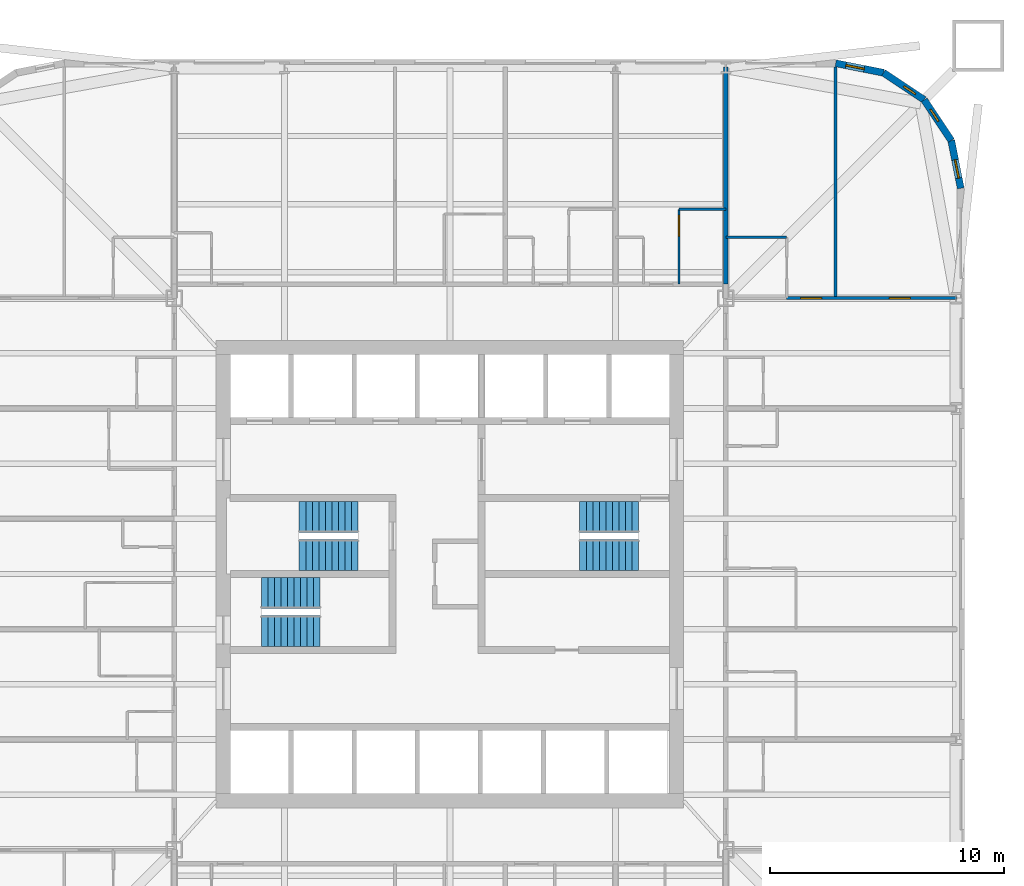
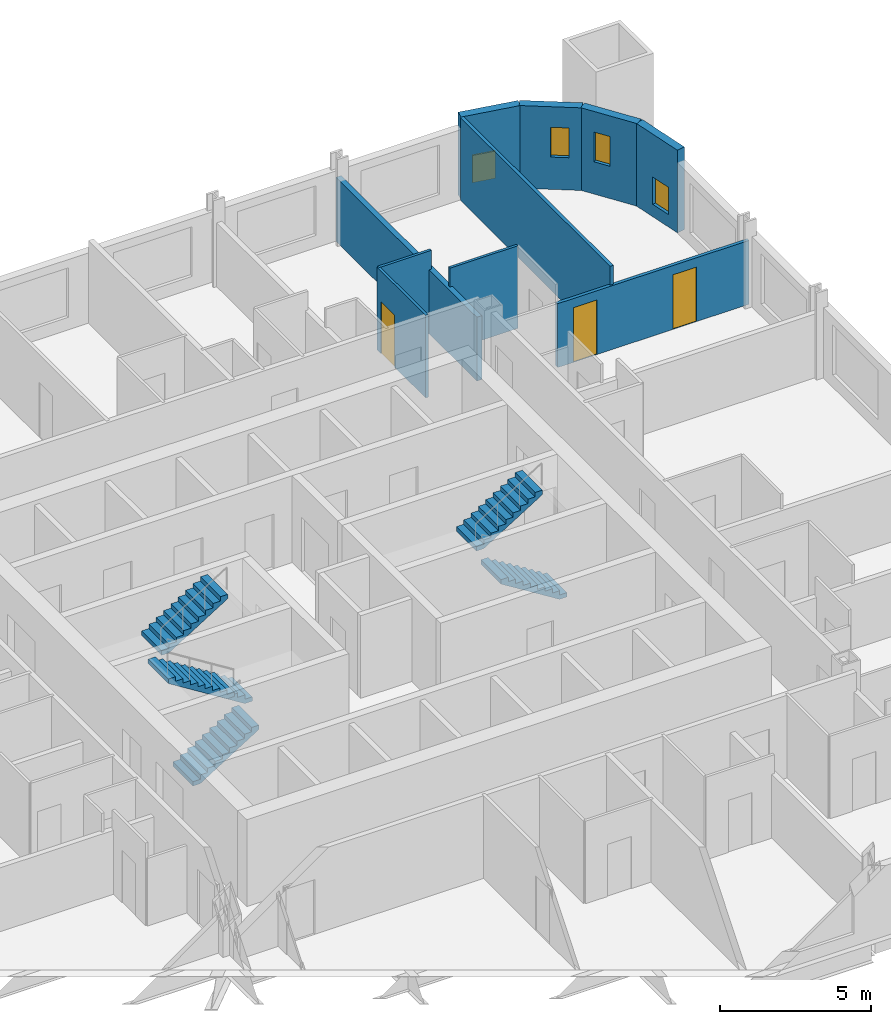
# One storey, part 8 of 9: 10 walls, 6 stair flights, 4 windows, 3 doors, 7 openings, 3 elements without a shape of their own.
"""IFC4 building model written with IfcOpenShell, lengths in metres."""

from ifc_helpers import new_model, si_unit, direction, frame, frame_2d, origin, place, context, subcontext, project, spatial, polyline, rectangle, outline, extrude, material, layer, layer_set, type_object, element, fill, aggregate, save


model = new_model("IFC4")

# Units and contexts
model_context = context("Model", 3, precision=1e-05, world=origin(), true_north=direction((0.0, 1.0)))
body_context = subcontext(model_context, "Body", "Model", "MODEL_VIEW")
ifc_project = project(units=[si_unit("LENGTHUNIT", "METRE"), si_unit("AREAUNIT", "SQUARE_METRE"), si_unit("VOLUMEUNIT", "CUBIC_METRE"), si_unit("PLANEANGLEUNIT", "RADIAN"), si_unit("MASSUNIT", "GRAM", prefix="KILO")], contexts=[model_context])

# Site, building, storey
site_placement = place(None, origin())
site = spatial("IfcSite", under=ifc_project, at=site_placement, CompositionType="ELEMENT")
building_placement = place(site_placement, origin())
building = spatial("IfcBuilding", under=site, at=building_placement, Name="Turquesa Mirador Hotel Tower", CompositionType="ELEMENT")
storey_placement = place(building_placement, frame((0.0, 0.0, 28.5)))
storey = spatial("IfcBuildingStorey", under=building, at=storey_placement, Name="L06", CompositionType="ELEMENT", Elevation=28.5)

# Walls
ifc_material_1 = material(Name="Gypsum board on steel studs", Category="steel")
ifc_layer_1 = layer(ifc_material_1, 0.10009765625)
ifc_layer_set_1 = layer_set([ifc_layer_1], Name="BATHROOM WALL 100")
wall_type_1 = type_object("IfcWallType", Name="BATHROOM WALL 100", PredefinedType="PARTITIONING", material=ifc_layer_set_1)
wall_1_placement = place(storey_placement, frame((66.800048828125, 59.39990234375, 0.0), z_axis=(0.0, 0.0, 1.0), x_axis=(1.0, 0.0, 0.0)))
element("IfcWall", 1, at=wall_1_placement, inside=storey, type_object=wall_type_1, Name="Partition L06 032", PredefinedType="PARTITIONING", context=body_context, shape_type="SweptSolid", body=[
    extrude(rectangle(XDim=2.599853515625, YDim=0.10009765625, at=frame_2d((1.2998046875, 0.0))), origin(), (0.0, 0.0, 1.0), 3.330078125),
])
wall_2_placement = place(storey_placement, frame((64.800048828125, 60.60009765625, 0.0), z_axis=(0.0, 0.0, 1.0), x_axis=(1.0, 0.0, 0.0)))
element("IfcWall", 2, at=wall_2_placement, inside=storey, type_object=wall_type_1, Name="Partition L06 036", PredefinedType="PARTITIONING", context=body_context, shape_type="SweptSolid", body=[
    extrude(rectangle(XDim=2.0, YDim=0.10009765625, at=frame_2d((1.0, 0.0))), origin(), (0.0, 0.0, 1.0), 3.330078125),
])

# Wall, opening, door
wall_3_placement = place(storey_placement, frame((64.800048828125, 57.39990234375, 0.0), z_axis=(0.0, 0.0, 1.0), x_axis=(0.0, 1.0, 0.0)))
wall_3 = element("IfcWall", 3, at=wall_3_placement, inside=storey, type_object=wall_type_1, Name="Partition L06 087", PredefinedType="PARTITIONING", context=body_context, shape_type="SweptSolid", body=[
    extrude(rectangle(XDim=3.2001953125, YDim=0.10009765625, at=frame_2d((1.60009765625, 0.0))), origin(), (0.0, 0.0, 1.0), 3.330078125),
])
opening_1_placement = place(wall_3_placement, frame((2.050048828125, 0.0, 0.0)))
opening_1 = element("IfcOpeningElement", 4, at=opening_1_placement, cuts=wall_3, Name="Opening D02", PredefinedType="OPENING", context=body_context, shape_type="SweptSolid", body=[
    extrude(rectangle(XDim=0.89990234375, YDim=2.10009765625, at=frame_2d((0.449951171875, 1.050048828125))), frame((0.0, 0.06005859375, 0.0), z_axis=(0.0, -1.0, 0.0), x_axis=(1.0, 0.0, 0.0)), (0.0, 0.0, 1.0), 0.1201171875),
])
ifc_material_2 = material(Name="Timber veneered door", Category="wood")
door_type_1 = type_object("IfcDoorType", Name="DOOR 900X2100 EN-SUITE", OperationType="SINGLE_SWING_RIGHT", PredefinedType="DOOR", material=ifc_material_2)
door_1_placement = place(opening_1_placement, origin())
door_1 = element("IfcDoor", 5, at=door_1_placement, inside=storey, type_object=door_type_1, Name="Door 0603B", OperationType="SINGLE_SWING_RIGHT", OverallHeight=2.10009765625, OverallWidth=0.89990234375, PredefinedType="DOOR", context=body_context, shape_type="SweptSolid", body=[
    extrude(rectangle(XDim=0.89990234375, YDim=2.10009765625, at=frame_2d((0.449951171875, 1.050048828125))), frame((0.0, 0.02490234375, 0.0), z_axis=(0.0, -1.0, 0.0), x_axis=(1.0, 0.0, 0.0)), (0.0, 0.0, 1.0), 0.050048828125),
])
fill(opening_1, door_1)

# Wall, opening, window
ifc_material_3 = material(Name="Limestone cladding on concrete block", Category="masonry")
ifc_layer_2 = layer(ifc_material_3, 0.300048828125)
ifc_layer_set_2 = layer_set([ifc_layer_2], Name="FACADE WALL 300 STONE SCREEN")
wall_type_2 = type_object("IfcWallType", Name="FACADE WALL 300 STONE SCREEN", PredefinedType="SOLIDWALL", material=ifc_layer_set_2)
wall_4_placement = place(storey_placement, frame((76.85009765625, 61.5, 0.0), z_axis=(0.0, 0.0, 1.0), x_axis=(-0.195081421501, 0.980787050784, 0.0)))
wall_4 = element("IfcWall", 6, at=wall_4_placement, inside=storey, type_object=wall_type_2, Name="Facade wall L06 05", PredefinedType="SOLIDWALL", context=body_context, shape_type="SweptSolid", body=[
    extrude(rectangle(XDim=2.08740234375, YDim=0.300048828125, at=frame_2d((1.043701171875, 0.0))), origin(), (0.0, 0.0, 1.0), 3.330078125),
])
opening_2_placement = place(wall_4_placement, frame((0.443603515625, 0.0, 0.5)))
opening_2 = element("IfcOpeningElement", 7, at=opening_2_placement, cuts=wall_4, Name="Opening WN19", PredefinedType="OPENING", context=body_context, shape_type="SweptSolid", body=[
    extrude(rectangle(XDim=0.800048828125, YDim=1.10009765625, at=frame_2d((0.39990234375, 0.550048828125))), frame((0.0, 0.159912109375, 0.0), z_axis=(0.0, -1.0, 0.0), x_axis=(1.0, 0.0, 0.0)), (0.0, 0.0, 1.0), 0.320068359375),
])
ifc_material_4 = material(Name="Ceramic-fritted laminated glass", Category="glass")
window_type_1 = type_object("IfcWindowType", Name="FRITTED CORNER WINDOW 800X1100", PartitioningType="DOUBLE_PANEL_HORIZONTAL", PredefinedType="WINDOW", material=ifc_material_4)
window_1_placement = place(opening_2_placement, origin())
window_1 = element("IfcWindow", 8, at=window_1_placement, inside=storey, type_object=window_type_1, Name="Window L06", OverallHeight=1.10009765625, OverallWidth=0.800048828125, PartitioningType="SINGLE_PANEL", PredefinedType="WINDOW", context=body_context, shape_type="SweptSolid", body=[
    extrude(rectangle(XDim=0.800048828125, YDim=1.10009765625, at=frame_2d((0.39990234375, 0.550048828125))), frame((0.0, 0.030029296875, 0.0), z_axis=(0.0, -1.0, 0.0), x_axis=(1.0, 0.0, 0.0)), (0.0, 0.0, 1.0), 0.06005859375),
])
fill(opening_2, window_1)

wall_5_placement = place(storey_placement, frame((76.44287109375, 63.54736328125, 0.0), z_axis=(0.0, 0.0, 1.0), x_axis=(-0.555644460423, 0.831420010345, 0.0)))
wall_5 = element("IfcWall", 9, at=wall_5_placement, inside=storey, type_object=wall_type_2, Name="Facade wall L06 06", PredefinedType="SOLIDWALL", context=body_context, shape_type="SweptSolid", body=[
    extrude(rectangle(XDim=2.08740234375, YDim=0.300048828125, at=frame_2d((1.043701171875, 0.0))), origin(), (0.0, 0.0, 1.0), 3.330078125),
])
opening_3_placement = place(wall_5_placement, frame((0.99365234375, 0.0, 1.300048828125)))
opening_3 = element("IfcOpeningElement", 10, at=opening_3_placement, cuts=wall_5, Name="Opening WN13", PredefinedType="OPENING", context=body_context, shape_type="SweptSolid", body=[
    extrude(rectangle(XDim=0.60009765625, YDim=1.199951171875, at=frame_2d((0.300048828125, 0.60009765625))), frame((0.0, 0.159912109375, 0.0), z_axis=(0.0, -1.0, 0.0), x_axis=(1.0, 0.0, 0.0)), (0.0, 0.0, 1.0), 0.320068359375),
])
ifc_material_5 = material(Name="Ceramic-fritted laminated glass", Category="glass")
window_type_2 = type_object("IfcWindowType", Name="FRITTED CORNER WINDOW 600X1200", PartitioningType="DOUBLE_PANEL_HORIZONTAL", PredefinedType="WINDOW", material=ifc_material_5)
window_2_placement = place(opening_3_placement, origin())
window_2 = element("IfcWindow", 11, at=window_2_placement, inside=storey, type_object=window_type_2, Name="Window L06", OverallHeight=1.199951171875, OverallWidth=0.60009765625, PartitioningType="SINGLE_PANEL", PredefinedType="WINDOW", context=body_context, shape_type="SweptSolid", body=[
    extrude(rectangle(XDim=0.60009765625, YDim=1.199951171875, at=frame_2d((0.300048828125, 0.60009765625))), frame((0.0, 0.030029296875, 0.0), z_axis=(0.0, -1.0, 0.0), x_axis=(1.0, 0.0, 0.0)), (0.0, 0.0, 1.0), 0.06005859375),
])
fill(opening_3, window_2)

wall_6_placement = place(storey_placement, frame((75.282958984375, 65.282958984375, 0.0), z_axis=(0.0, 0.0, 1.0), x_axis=(-0.831420010345, 0.555644460423, 0.0)))
wall_6 = element("IfcWall", 12, at=wall_6_placement, inside=storey, type_object=wall_type_2, Name="Facade wall L06 07", PredefinedType="SOLIDWALL", context=body_context, shape_type="SweptSolid", body=[
    extrude(rectangle(XDim=2.08740234375, YDim=0.300048828125, at=frame_2d((1.043701171875, 0.0))), origin(), (0.0, 0.0, 1.0), 3.330078125),
])
opening_4_placement = place(wall_6_placement, frame((0.443603515625, 0.0, 1.300048828125)))
opening_4 = element("IfcOpeningElement", 13, at=opening_4_placement, cuts=wall_6, Name="Opening WN13", PredefinedType="OPENING", context=body_context, shape_type="SweptSolid", body=[
    extrude(rectangle(XDim=0.60009765625, YDim=1.199951171875, at=frame_2d((0.300048828125, 0.60009765625))), frame((0.0, 0.159912109375, 0.0), z_axis=(0.0, -1.0, 0.0), x_axis=(1.0, 0.0, 0.0)), (0.0, 0.0, 1.0), 0.320068359375),
])
window_3_placement = place(opening_4_placement, origin())
window_3 = element("IfcWindow", 14, at=window_3_placement, inside=storey, type_object=window_type_2, Name="Window L06", OverallHeight=1.199951171875, OverallWidth=0.60009765625, PartitioningType="SINGLE_PANEL", PredefinedType="WINDOW", context=body_context, shape_type="SweptSolid", body=[
    extrude(rectangle(XDim=0.60009765625, YDim=1.199951171875, at=frame_2d((0.300048828125, 0.60009765625))), frame((0.0, 0.030029296875, 0.0), z_axis=(0.0, -1.0, 0.0), x_axis=(1.0, 0.0, 0.0)), (0.0, 0.0, 1.0), 0.06005859375),
])
fill(opening_4, window_3)

wall_7_placement = place(storey_placement, frame((73.54736328125, 66.44287109375, 0.0), z_axis=(0.0, 0.0, 1.0), x_axis=(-0.980787050784, 0.195081421501, 0.0)))
wall_7 = element("IfcWall", 15, at=wall_7_placement, inside=storey, type_object=wall_type_2, Name="Facade wall L06 08", PredefinedType="SOLIDWALL", context=body_context, shape_type="SweptSolid", body=[
    extrude(rectangle(XDim=2.08740234375, YDim=0.300048828125, at=frame_2d((1.043701171875, 0.0))), origin(), (0.0, 0.0, 1.0), 3.330078125),
])
opening_5_placement = place(wall_7_placement, frame((0.84375, 0.0, 0.5)))
opening_5 = element("IfcOpeningElement", 16, at=opening_5_placement, cuts=wall_7, Name="Opening WN19", PredefinedType="OPENING", context=body_context, shape_type="SweptSolid", body=[
    extrude(rectangle(XDim=0.800048828125, YDim=1.10009765625, at=frame_2d((0.39990234375, 0.550048828125))), frame((0.0, 0.159912109375, 0.0), z_axis=(0.0, -1.0, 0.0), x_axis=(1.0, 0.0, 0.0)), (0.0, 0.0, 1.0), 0.320068359375),
])
window_4_placement = place(opening_5_placement, origin())
window_4 = element("IfcWindow", 17, at=window_4_placement, inside=storey, type_object=window_type_1, Name="Window L06", OverallHeight=1.10009765625, OverallWidth=0.800048828125, PartitioningType="SINGLE_PANEL", PredefinedType="WINDOW", context=body_context, shape_type="SweptSolid", body=[
    extrude(rectangle(XDim=0.800048828125, YDim=1.10009765625, at=frame_2d((0.39990234375, 0.550048828125))), frame((0.0, 0.030029296875, 0.0), z_axis=(0.0, -1.0, 0.0), x_axis=(1.0, 0.0, 0.0)), (0.0, 0.0, 1.0), 0.06005859375),
])
fill(opening_5, window_4)

# Wall
ifc_material_6 = material(Name="Fire-rated gypsum board on steel studs", Category="steel")
ifc_layer_3 = layer(ifc_material_6, 0.199951171875)
ifc_layer_set_3 = layer_set([ifc_layer_3], Name="PARTY WALL 200")
wall_type_3 = type_object("IfcWallType", Name="PARTY WALL 200", PredefinedType="PARTITIONING", material=ifc_layer_set_3)
wall_8_placement = place(storey_placement, frame((66.800048828125, 57.39990234375, 0.0), z_axis=(0.0, 0.0, 1.0), x_axis=(0.0, 1.0, 0.0)))
element("IfcWall", 18, at=wall_8_placement, inside=storey, type_object=wall_type_3, Name="Partition L06 068", PredefinedType="PARTITIONING", context=body_context, shape_type="SweptSolid", body=[
    extrude(rectangle(XDim=9.300048828125, YDim=0.199951171875, at=frame_2d((4.64990234375, 0.0))), origin(), (0.0, 0.0, 1.0), 2.572998046875),
])

# Wall, openings, doors
ifc_material_7 = material(Name="Acoustic gypsum board on steel studs", Category="steel")
ifc_layer_4 = layer(ifc_material_7, 0.125)
ifc_layer_set_4 = layer_set([ifc_layer_4], Name="SUITE PARTITION 125")
wall_type_4 = type_object("IfcWallType", Name="SUITE PARTITION 125", PredefinedType="PARTITIONING", material=ifc_layer_set_4)
wall_9_placement = place(storey_placement, frame((69.39990234375, 56.800048828125, 0.0), z_axis=(0.0, 0.0, 1.0), x_axis=(1.0, 0.0, 0.0)))
wall_9 = element("IfcWall", 19, at=wall_9_placement, inside=storey, type_object=wall_type_4, Name="Partition L06 027", PredefinedType="PARTITIONING", context=body_context, shape_type="SweptSolid", body=[
    extrude(rectangle(XDim=7.300048828125, YDim=0.125, at=frame_2d((3.64990234375, 0.0))), origin(), (0.0, 0.0, 1.0), 2.572998046875),
])
opening_6_placement = place(wall_9_placement, frame((0.60009765625, 0.0, 0.0)))
opening_6 = element("IfcOpeningElement", 20, at=opening_6_placement, cuts=wall_9, Name="Opening D17", PredefinedType="OPENING", context=body_context, shape_type="SweptSolid", body=[
    extrude(rectangle(XDim=0.89990234375, YDim=2.199951171875, at=frame_2d((0.449951171875, 1.10009765625))), frame((0.0, 0.072509765625, 0.0), z_axis=(0.0, -1.0, 0.0), x_axis=(1.0, 0.0, 0.0)), (0.0, 0.0, 1.0), 0.14501953125),
])
opening_7_placement = place(wall_9_placement, frame((4.39990234375, 0.0, 0.0)))
opening_7 = element("IfcOpeningElement", 21, at=opening_7_placement, cuts=wall_9, Name="Opening D17", PredefinedType="OPENING", context=body_context, shape_type="SweptSolid", body=[
    extrude(rectangle(XDim=0.89990234375, YDim=2.199951171875, at=frame_2d((0.449951171875, 1.10009765625))), frame((0.0, 0.072509765625, 0.0), z_axis=(0.0, -1.0, 0.0), x_axis=(1.0, 0.0, 0.0)), (0.0, 0.0, 1.0), 0.14501953125),
])
ifc_material_8 = material(Name="Timber veneered door", Category="wood")
door_type_2 = type_object("IfcDoorType", Name="DOOR 900X2200 SUITE INTERNAL", OperationType="SINGLE_SWING_LEFT", PredefinedType="DOOR", material=ifc_material_8)
door_2_placement = place(opening_6_placement, origin())
door_2 = element("IfcDoor", 22, at=door_2_placement, inside=storey, type_object=door_type_2, Name="Door 0612R", OperationType="SINGLE_SWING_LEFT", OverallHeight=2.199951171875, OverallWidth=0.89990234375, PredefinedType="DOOR", context=body_context, shape_type="SweptSolid", body=[
    extrude(rectangle(XDim=0.89990234375, YDim=2.199951171875, at=frame_2d((0.449951171875, 1.10009765625))), frame((0.0, 0.02490234375, 0.0), z_axis=(0.0, -1.0, 0.0), x_axis=(1.0, 0.0, 0.0)), (0.0, 0.0, 1.0), 0.050048828125),
])
fill(opening_6, door_2)
door_3_placement = place(opening_7_placement, origin())
door_3 = element("IfcDoor", 23, at=door_3_placement, inside=storey, type_object=door_type_2, Name="Door 0612S", OperationType="SINGLE_SWING_LEFT", OverallHeight=2.199951171875, OverallWidth=0.89990234375, PredefinedType="DOOR", context=body_context, shape_type="SweptSolid", body=[
    extrude(rectangle(XDim=0.89990234375, YDim=2.199951171875, at=frame_2d((0.449951171875, 1.10009765625))), frame((0.0, 0.02490234375, 0.0), z_axis=(0.0, -1.0, 0.0), x_axis=(1.0, 0.0, 0.0)), (0.0, 0.0, 1.0), 0.050048828125),
])
fill(opening_7, door_3)

# Wall
wall_10_placement = place(storey_placement, frame((71.5, 56.800048828125, 0.0), z_axis=(0.0, 0.0, 1.0), x_axis=(0.0, 1.0, 0.0)))
element("IfcWall", 24, at=wall_10_placement, inside=storey, type_object=wall_type_4, Name="Partition L06 077", PredefinedType="PARTITIONING", context=body_context, shape_type="SweptSolid", body=[
    extrude(rectangle(XDim=9.89404296875, YDim=0.125, at=frame_2d((4.947021484375, 0.0))), origin(), (0.0, 0.0, 1.0), 3.330078125),
])

# Stair, stair flights
ifc_material_9 = material(Name="Concrete C35/45", Category="concrete")
stair_type = type_object("IfcStairType", Name="ESCAPE STAIR CORE", PredefinedType="HALF_TURN_STAIR", material=ifc_material_9)
stair_1_placement = place(storey_placement, origin())
stair_1 = element("IfcStair", 25, at=stair_1_placement, inside=storey, type_object=stair_type, Name="Stair ST1 L06 to L07", PredefinedType="HALF_TURN_STAIR")
ifc_material_10 = material(Name="Concrete C35/45 precast flight", Category="concrete")
stair_flight_type = type_object("IfcStairFlightType", Name="STAIR FLIGHT 1330", PredefinedType="STRAIGHT", material=ifc_material_10)
stair_flight_1_placement = place(storey_placement, frame((51.070068359375, 45.81494140625, 0.0), z_axis=(0.0, 0.0, 1.0), x_axis=(-1.0, 0.0, 0.0)))
stair_flight_1 = element("IfcStairFlight", 26, at=stair_flight_1_placement, type_object=stair_flight_type, Name="ST1 flight 1", NumberOfRisers=10, NumberOfTreads=9, PredefinedType="STRAIGHT", RiserHeight=0.175, TreadLength=0.28, context=body_context, shape_type="SweptSolid", body=[
    extrude(outline(polyline([(0.0, 0.0), (0.0, 0.175048828125), (0.280029296875, 0.175048828125), (0.280029296875, 0.35009765625), (0.56005859375, 0.35009765625), (0.56005859375, 0.52490234375), (0.840087890625, 0.52490234375), (0.840087890625, 0.699951171875), (1.1201171875, 0.699951171875), (1.1201171875, 0.875), (1.39990234375, 0.875), (1.39990234375, 1.050048828125), (1.679931640625, 1.050048828125), (1.679931640625, 1.22509765625), (1.9599609375, 1.22509765625), (1.9599609375, 1.39990234375), (2.239990234375, 1.39990234375), (2.239990234375, 1.574951171875), (2.52001953125, 1.574951171875), (2.52001953125, 1.75), (2.52001953125, 1.398193359375), (0.28271484375, 0.0), (0.0, 0.0)])), frame((0.0, 0.6650390625, 0.0), z_axis=(0.0, -1.0, 0.0), x_axis=(1.0, 0.0, 0.0)), (0.0, 0.0, 1.0), 1.330078125),
])
stair_flight_2_placement = place(storey_placement, frame((48.550048828125, 47.43505859375, 1.75), z_axis=(0.0, 0.0, 1.0), x_axis=(1.0, 0.0, 0.0)))
stair_flight_2 = element("IfcStairFlight", 27, at=stair_flight_2_placement, type_object=stair_flight_type, Name="ST1 flight 2", NumberOfRisers=10, NumberOfTreads=9, PredefinedType="STRAIGHT", RiserHeight=0.175, TreadLength=0.28, context=body_context, shape_type="SweptSolid", body=[
    extrude(outline(polyline([(0.0, 0.0), (0.0, 0.175048828125), (0.280029296875, 0.175048828125), (0.280029296875, 0.35009765625), (0.56005859375, 0.35009765625), (0.56005859375, 0.52490234375), (0.840087890625, 0.52490234375), (0.840087890625, 0.699951171875), (1.1201171875, 0.699951171875), (1.1201171875, 0.875), (1.39990234375, 0.875), (1.39990234375, 1.050048828125), (1.679931640625, 1.050048828125), (1.679931640625, 1.22509765625), (1.9599609375, 1.22509765625), (1.9599609375, 1.39990234375), (2.239990234375, 1.39990234375), (2.239990234375, 1.574951171875), (2.52001953125, 1.574951171875), (2.52001953125, 1.75), (2.52001953125, 1.398193359375), (0.28271484375, 0.0), (0.0, 0.0)])), frame((0.0, 0.6650390625, 0.0), z_axis=(0.0, -1.0, 0.0), x_axis=(1.0, 0.0, 0.0)), (0.0, 0.0, 1.0), 1.330078125),
])
aggregate(stair_1, [stair_flight_1, stair_flight_2])

stair_2_placement = place(storey_placement, origin())
stair_2 = element("IfcStair", 28, at=stair_2_placement, inside=storey, type_object=stair_type, Name="Stair ST2 L06 to L07", PredefinedType="HALF_TURN_STAIR")
stair_flight_3_placement = place(storey_placement, frame((46.929931640625, 42.56494140625, 0.0), z_axis=(0.0, 0.0, 1.0), x_axis=(1.0, 0.0, 0.0)))
stair_flight_3 = element("IfcStairFlight", 29, at=stair_flight_3_placement, type_object=stair_flight_type, Name="ST2 flight 1", NumberOfRisers=10, NumberOfTreads=9, PredefinedType="STRAIGHT", RiserHeight=0.175, TreadLength=0.28, context=body_context, shape_type="SweptSolid", body=[
    extrude(outline(polyline([(0.0, 0.0), (0.0, 0.175048828125), (0.280029296875, 0.175048828125), (0.280029296875, 0.35009765625), (0.56005859375, 0.35009765625), (0.56005859375, 0.52490234375), (0.840087890625, 0.52490234375), (0.840087890625, 0.699951171875), (1.1201171875, 0.699951171875), (1.1201171875, 0.875), (1.39990234375, 0.875), (1.39990234375, 1.050048828125), (1.679931640625, 1.050048828125), (1.679931640625, 1.22509765625), (1.9599609375, 1.22509765625), (1.9599609375, 1.39990234375), (2.239990234375, 1.39990234375), (2.239990234375, 1.574951171875), (2.52001953125, 1.574951171875), (2.52001953125, 1.75), (2.52001953125, 1.398193359375), (0.28271484375, 0.0), (0.0, 0.0)])), frame((0.0, 0.6650390625, 0.0), z_axis=(0.0, -1.0, 0.0), x_axis=(1.0, 0.0, 0.0)), (0.0, 0.0, 1.0), 1.330078125),
])
stair_flight_4_placement = place(storey_placement, frame((49.449951171875, 44.18505859375, 1.75), z_axis=(0.0, 0.0, 1.0), x_axis=(-1.0, 0.0, 0.0)))
stair_flight_4 = element("IfcStairFlight", 30, at=stair_flight_4_placement, type_object=stair_flight_type, Name="ST2 flight 2", NumberOfRisers=10, NumberOfTreads=9, PredefinedType="STRAIGHT", RiserHeight=0.175, TreadLength=0.28, context=body_context, shape_type="SweptSolid", body=[
    extrude(outline(polyline([(0.0, 0.0), (0.0, 0.175048828125), (0.280029296875, 0.175048828125), (0.280029296875, 0.35009765625), (0.56005859375, 0.35009765625), (0.56005859375, 0.52490234375), (0.840087890625, 0.52490234375), (0.840087890625, 0.699951171875), (1.1201171875, 0.699951171875), (1.1201171875, 0.875), (1.39990234375, 0.875), (1.39990234375, 1.050048828125), (1.679931640625, 1.050048828125), (1.679931640625, 1.22509765625), (1.9599609375, 1.22509765625), (1.9599609375, 1.39990234375), (2.239990234375, 1.39990234375), (2.239990234375, 1.574951171875), (2.52001953125, 1.574951171875), (2.52001953125, 1.75), (2.52001953125, 1.398193359375), (0.28271484375, 0.0), (0.0, 0.0)])), frame((0.0, 0.6650390625, 0.0), z_axis=(0.0, -1.0, 0.0), x_axis=(1.0, 0.0, 0.0)), (0.0, 0.0, 1.0), 1.330078125),
])
aggregate(stair_2, [stair_flight_3, stair_flight_4])

stair_3_placement = place(storey_placement, origin())
stair_3 = element("IfcStair", 31, at=stair_3_placement, inside=storey, type_object=stair_type, Name="Stair ST3 L06 to L07", PredefinedType="HALF_TURN_STAIR")
stair_flight_5_placement = place(storey_placement, frame((63.070068359375, 45.81494140625, 0.0), z_axis=(0.0, 0.0, 1.0), x_axis=(-1.0, 0.0, 0.0)))
stair_flight_5 = element("IfcStairFlight", 32, at=stair_flight_5_placement, type_object=stair_flight_type, Name="ST3 flight 1", NumberOfRisers=10, NumberOfTreads=9, PredefinedType="STRAIGHT", RiserHeight=0.175, TreadLength=0.28, context=body_context, shape_type="SweptSolid", body=[
    extrude(outline(polyline([(0.0, 0.0), (0.0, 0.175048828125), (0.280029296875, 0.175048828125), (0.280029296875, 0.35009765625), (0.56005859375, 0.35009765625), (0.56005859375, 0.52490234375), (0.840087890625, 0.52490234375), (0.840087890625, 0.699951171875), (1.1201171875, 0.699951171875), (1.1201171875, 0.875), (1.39990234375, 0.875), (1.39990234375, 1.050048828125), (1.679931640625, 1.050048828125), (1.679931640625, 1.22509765625), (1.9599609375, 1.22509765625), (1.9599609375, 1.39990234375), (2.239990234375, 1.39990234375), (2.239990234375, 1.574951171875), (2.52001953125, 1.574951171875), (2.52001953125, 1.75), (2.52001953125, 1.398193359375), (0.28271484375, 0.0), (0.0, 0.0)])), frame((0.0, 0.6650390625, 0.0), z_axis=(0.0, -1.0, 0.0), x_axis=(1.0, 0.0, 0.0)), (0.0, 0.0, 1.0), 1.330078125),
])
stair_flight_6_placement = place(storey_placement, frame((60.550048828125, 47.43505859375, 1.75), z_axis=(0.0, 0.0, 1.0), x_axis=(1.0, 0.0, 0.0)))
stair_flight_6 = element("IfcStairFlight", 33, at=stair_flight_6_placement, type_object=stair_flight_type, Name="ST3 flight 2", NumberOfRisers=10, NumberOfTreads=9, PredefinedType="STRAIGHT", RiserHeight=0.175, TreadLength=0.28, context=body_context, shape_type="SweptSolid", body=[
    extrude(outline(polyline([(0.0, 0.0), (0.0, 0.175048828125), (0.280029296875, 0.175048828125), (0.280029296875, 0.35009765625), (0.56005859375, 0.35009765625), (0.56005859375, 0.52490234375), (0.840087890625, 0.52490234375), (0.840087890625, 0.699951171875), (1.1201171875, 0.699951171875), (1.1201171875, 0.875), (1.39990234375, 0.875), (1.39990234375, 1.050048828125), (1.679931640625, 1.050048828125), (1.679931640625, 1.22509765625), (1.9599609375, 1.22509765625), (1.9599609375, 1.39990234375), (2.239990234375, 1.39990234375), (2.239990234375, 1.574951171875), (2.52001953125, 1.574951171875), (2.52001953125, 1.75), (2.52001953125, 1.398193359375), (0.28271484375, 0.0), (0.0, 0.0)])), frame((0.0, 0.6650390625, 0.0), z_axis=(0.0, -1.0, 0.0), x_axis=(1.0, 0.0, 0.0)), (0.0, 0.0, 1.0), 1.330078125),
])
aggregate(stair_3, [stair_flight_5, stair_flight_6])

save(model, "model.ifc")
